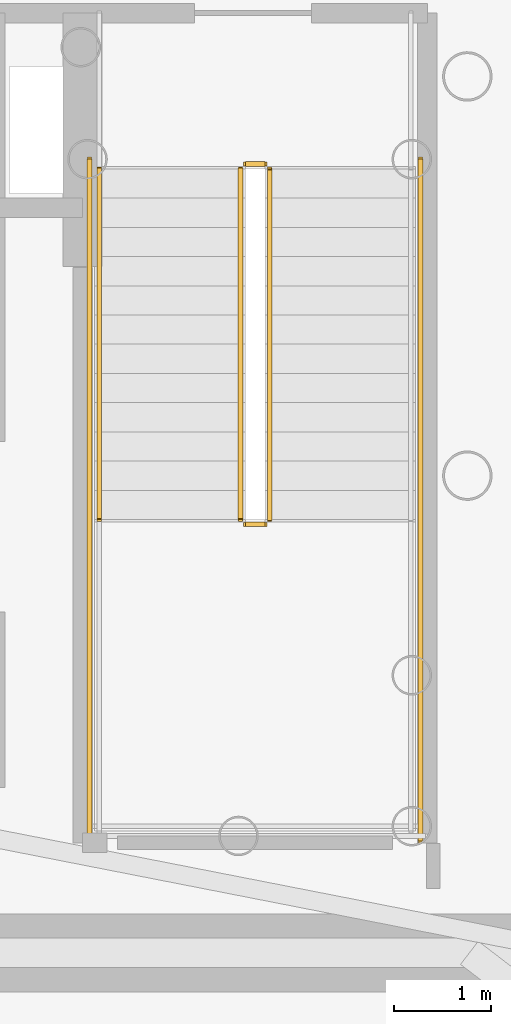
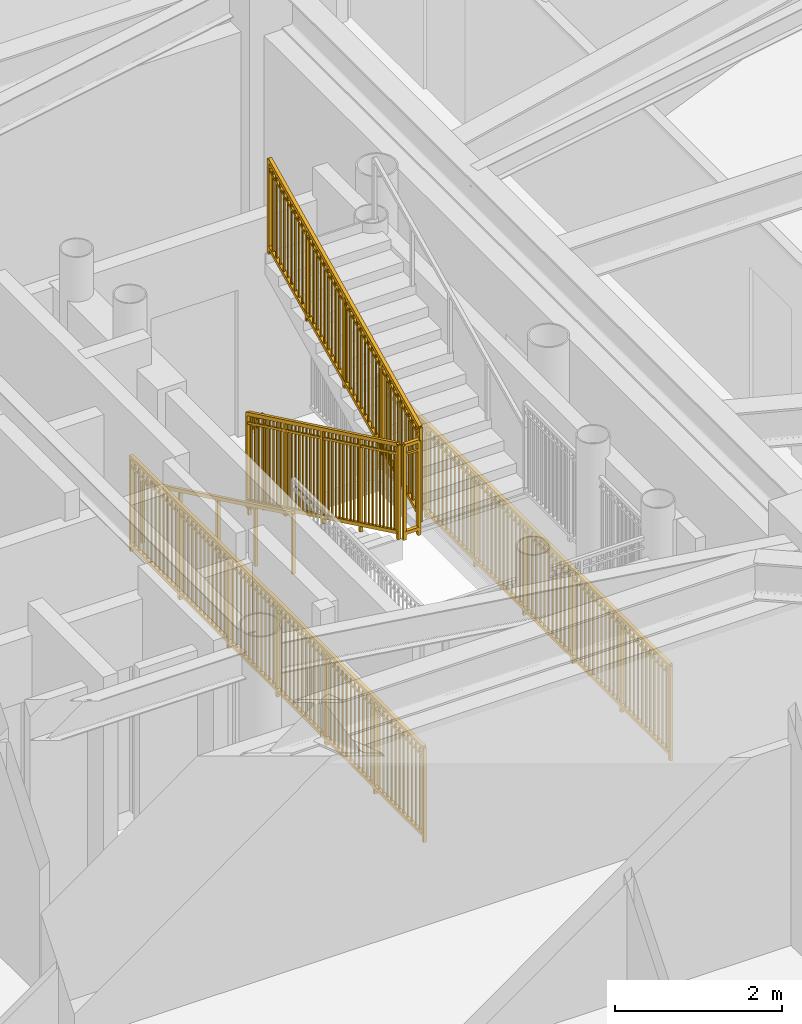
# One storey, part 19 of 21: 7 railings.
"""IFC4 building model written with IfcOpenShell, lengths in metres."""

from ifc_helpers import new_model, si_unit, direction, frame, origin, origin_2d, place, context, subcontext, project, spatial, rectangle, extrude, source, transform, mapped, material, type_object, element, save


model = new_model("IFC4")

# Units and contexts
model_context = context("Model", 3, precision=1e-05, world=origin(), true_north=direction((0.0, 1.0)))
body_context = subcontext(model_context, "Body", "Model", "MODEL_VIEW")
ifc_project = project(units=[si_unit("LENGTHUNIT", "METRE"), si_unit("AREAUNIT", "SQUARE_METRE"), si_unit("VOLUMEUNIT", "CUBIC_METRE"), si_unit("PLANEANGLEUNIT", "RADIAN"), si_unit("MASSUNIT", "GRAM", prefix="KILO")], contexts=[model_context])

# Site, building, storey
site_placement = place(None, origin())
site = spatial("IfcSite", under=ifc_project, at=site_placement, CompositionType="ELEMENT")
building_placement = place(site_placement, origin())
building = spatial("IfcBuilding", under=site, at=building_placement, Name="Linh Dai School and Residence Tower", CompositionType="ELEMENT")
storey_placement = place(building_placement, frame((0.0, 0.0, 97.199951171875)))
storey = spatial("IfcBuildingStorey", under=building, at=storey_placement, Name="L22", CompositionType="ELEMENT", Elevation=97.199951171875)

# Railings
ifc_material_1 = material(Name="Structural Steel S355JR", Category="steel")
railing_type_1 = type_object("IfcRailingType", Name="RL-ST-GUARD-1400", PredefinedType="GUARDRAIL", material=ifc_material_1)
shared_shape_1 = source(origin(), body_context, "Body", "SweptSolid", [
    extrude(rectangle(XDim=0.048095703125, YDim=0.048095703125, at=origin_2d()), frame((0.0, 0.0, 1.3759765625), z_axis=(0.0, 0.901262522062, 0.433273431364), x_axis=(-1.0, 0.0, 0.0)), (0.0, 0.0, 1.0), 3.994384765625),
    extrude(rectangle(XDim=0.048095703125, YDim=0.048095703125, at=origin_2d()), frame((0.0, 0.0, 0.10009765625), z_axis=(0.0, 0.901262522062, 0.433273431364), x_axis=(-1.0, 0.0, 0.0)), (0.0, 0.0, 1.0), 3.994384765625),
    extrude(rectangle(XDim=0.030029296875, YDim=0.030029296875, at=origin_2d()), frame((0.0, 0.0, 1.239990234375), z_axis=(0.0, 0.901262522062, 0.433273431364), x_axis=(-1.0, 0.0, 0.0)), (0.0, 0.0, 1.0), 3.994384765625),
    extrude(rectangle(XDim=0.02001953125, YDim=0.02001953125, at=origin_2d()), frame((0.0, 0.087890625, 0.142333984375)), (0.0, 0.0, 1.0), 1.251708984375),
    extrude(rectangle(XDim=0.02001953125, YDim=0.02001953125, at=origin_2d()), frame((0.0, 0.175537109375, 0.1845703125)), (0.0, 0.0, 1.0), 1.251708984375),
    extrude(rectangle(XDim=0.02001953125, YDim=0.02001953125, at=origin_2d()), frame((0.0, 0.263427734375, 0.226806640625)), (0.0, 0.0, 1.0), 1.251708984375),
    extrude(rectangle(XDim=0.02001953125, YDim=0.02001953125, at=origin_2d()), frame((0.0, 0.351318359375, 0.26904296875)), (0.0, 0.0, 1.0), 1.251708984375),
    extrude(rectangle(XDim=0.02001953125, YDim=0.02001953125, at=origin_2d()), frame((0.0, 0.43896484375, 0.311279296875)), (0.0, 0.0, 1.0), 1.251708984375),
    extrude(rectangle(XDim=0.02001953125, YDim=0.02001953125, at=origin_2d()), frame((0.0, 0.52685546875, 0.353271484375)), (0.0, 0.0, 1.0), 1.251708984375),
    extrude(rectangle(XDim=0.02001953125, YDim=0.02001953125, at=origin_2d()), frame((0.0, 0.61474609375, 0.3955078125)), (0.0, 0.0, 1.0), 1.251708984375),
    extrude(rectangle(XDim=0.02001953125, YDim=0.02001953125, at=origin_2d()), frame((0.0, 0.702392578125, 0.437744140625)), (0.0, 0.0, 1.0), 1.251708984375),
    extrude(rectangle(XDim=0.02001953125, YDim=0.02001953125, at=origin_2d()), frame((0.0, 0.790283203125, 0.47998046875)), (0.0, 0.0, 1.0), 1.251708984375),
    extrude(rectangle(XDim=0.02001953125, YDim=0.02001953125, at=origin_2d()), frame((0.0, 0.9658203125, 0.564453125)), (0.0, 0.0, 1.0), 1.251708984375),
    extrude(rectangle(XDim=0.02001953125, YDim=0.02001953125, at=origin_2d()), frame((0.0, 1.0537109375, 0.606689453125)), (0.0, 0.0, 1.0), 1.251708984375),
    extrude(rectangle(XDim=0.02001953125, YDim=0.02001953125, at=origin_2d()), frame((0.0, 1.1416015625, 0.64892578125)), (0.0, 0.0, 1.0), 1.251708984375),
    extrude(rectangle(XDim=0.02001953125, YDim=0.02001953125, at=origin_2d()), frame((0.0, 1.229248046875, 0.691162109375)), (0.0, 0.0, 1.0), 1.251708984375),
    extrude(rectangle(XDim=0.02001953125, YDim=0.02001953125, at=origin_2d()), frame((0.0, 1.317138671875, 0.7333984375)), (0.0, 0.0, 1.0), 1.251708984375),
    extrude(rectangle(XDim=0.02001953125, YDim=0.02001953125, at=origin_2d()), frame((0.0, 1.405029296875, 0.775390625)), (0.0, 0.0, 1.0), 1.251708984375),
    extrude(rectangle(XDim=0.02001953125, YDim=0.02001953125, at=origin_2d()), frame((0.0, 1.49267578125, 0.817626953125)), (0.0, 0.0, 1.0), 1.251708984375),
    extrude(rectangle(XDim=0.02001953125, YDim=0.02001953125, at=origin_2d()), frame((0.0, 1.58056640625, 0.85986328125)), (0.0, 0.0, 1.0), 1.251708984375),
    extrude(rectangle(XDim=0.02001953125, YDim=0.02001953125, at=origin_2d()), frame((0.0, 1.66845703125, 0.902099609375)), (0.0, 0.0, 1.0), 1.251708984375),
    extrude(rectangle(XDim=0.02001953125, YDim=0.02001953125, at=origin_2d()), frame((0.0, 1.756103515625, 0.9443359375)), (0.0, 0.0, 1.0), 1.251708984375),
    extrude(rectangle(XDim=0.02001953125, YDim=0.02001953125, at=origin_2d()), frame((0.0, 1.843994140625, 0.986572265625)), (0.0, 0.0, 1.0), 1.251708984375),
    extrude(rectangle(XDim=0.02001953125, YDim=0.02001953125, at=origin_2d()), frame((0.0, 1.931640625, 1.02880859375)), (0.0, 0.0, 1.0), 1.251708984375),
    extrude(rectangle(XDim=0.02001953125, YDim=0.02001953125, at=origin_2d()), frame((0.0, 2.01953125, 1.071044921875)), (0.0, 0.0, 1.0), 1.251708984375),
    extrude(rectangle(XDim=0.02001953125, YDim=0.02001953125, at=origin_2d()), frame((0.0, 2.107421875, 1.11328125)), (0.0, 0.0, 1.0), 1.251708984375),
    extrude(rectangle(XDim=0.02001953125, YDim=0.02001953125, at=origin_2d()), frame((0.0, 2.195068359375, 1.155517578125)), (0.0, 0.0, 1.0), 1.251708984375),
    extrude(rectangle(XDim=0.02001953125, YDim=0.02001953125, at=origin_2d()), frame((0.0, 2.282958984375, 1.197509765625)), (0.0, 0.0, 1.0), 1.251708984375),
    extrude(rectangle(XDim=0.02001953125, YDim=0.02001953125, at=origin_2d()), frame((0.0, 2.370849609375, 1.23974609375)), (0.0, 0.0, 1.0), 1.251708984375),
    extrude(rectangle(XDim=0.02001953125, YDim=0.02001953125, at=origin_2d()), frame((0.0, 2.45849609375, 1.281982421875)), (0.0, 0.0, 1.0), 1.251708984375),
    extrude(rectangle(XDim=0.02001953125, YDim=0.02001953125, at=origin_2d()), frame((0.0, 2.54638671875, 1.32421875)), (0.0, 0.0, 1.0), 1.251708984375),
    extrude(rectangle(XDim=0.02001953125, YDim=0.02001953125, at=origin_2d()), frame((0.0, 2.63427734375, 1.366455078125)), (0.0, 0.0, 1.0), 1.251708984375),
    extrude(rectangle(XDim=0.02001953125, YDim=0.02001953125, at=origin_2d()), frame((0.0, 2.809814453125, 1.450927734375)), (0.0, 0.0, 1.0), 1.251708984375),
    extrude(rectangle(XDim=0.02001953125, YDim=0.02001953125, at=origin_2d()), frame((0.0, 2.897705078125, 1.4931640625)), (0.0, 0.0, 1.0), 1.251708984375),
    extrude(rectangle(XDim=0.02001953125, YDim=0.02001953125, at=origin_2d()), frame((0.0, 2.9853515625, 1.535400390625)), (0.0, 0.0, 1.0), 1.251708984375),
    extrude(rectangle(XDim=0.02001953125, YDim=0.02001953125, at=origin_2d()), frame((0.0, 3.0732421875, 1.57763671875)), (0.0, 0.0, 1.0), 1.251708984375),
    extrude(rectangle(XDim=0.02001953125, YDim=0.02001953125, at=origin_2d()), frame((0.0, 3.1611328125, 1.61962890625)), (0.0, 0.0, 1.0), 1.251708984375),
    extrude(rectangle(XDim=0.02001953125, YDim=0.02001953125, at=origin_2d()), frame((0.0, 3.248779296875, 1.661865234375)), (0.0, 0.0, 1.0), 1.251708984375),
    extrude(rectangle(XDim=0.02001953125, YDim=0.02001953125, at=origin_2d()), frame((0.0, 3.336669921875, 1.7041015625)), (0.0, 0.0, 1.0), 1.251708984375),
    extrude(rectangle(XDim=0.02001953125, YDim=0.02001953125, at=origin_2d()), frame((0.0, 3.424560546875, 1.746337890625)), (0.0, 0.0, 1.0), 1.251708984375),
    extrude(rectangle(XDim=0.02001953125, YDim=0.02001953125, at=origin_2d()), frame((0.0, 3.51220703125, 1.78857421875)), (0.0, 0.0, 1.0), 1.251708984375),
    extrude(rectangle(XDim=0.0419921875, YDim=0.0419921875, at=origin_2d()), origin(), (0.0, 0.0, 1.0), 1.3759765625),
    extrude(rectangle(XDim=0.0419921875, YDim=0.0419921875, at=origin_2d()), frame((0.0, 0.89990234375, 0.4326171875)), (0.0, 0.0, 1.0), 1.3759765625),
    extrude(rectangle(XDim=0.0419921875, YDim=0.0419921875, at=origin_2d()), frame((0.0, 1.800048828125, 0.865234375)), (0.0, 0.0, 1.0), 1.3759765625),
    extrude(rectangle(XDim=0.0419921875, YDim=0.0419921875, at=origin_2d()), frame((0.0, 2.7001953125, 1.298095703125)), (0.0, 0.0, 1.0), 1.3759765625),
    extrude(rectangle(XDim=0.0419921875, YDim=0.0419921875, at=origin_2d()), frame((0.0, 3.60009765625, 1.730712890625)), (0.0, 0.0, 1.0), 1.3759765625),
])
railing_1_placement = place(storey_placement, frame((42.820068359375, 24.64990234375, 2.019287109375)))
element("IfcRailing", 1, at=railing_1_placement, inside=storey, type_object=railing_type_1, Name="L22 ST2 stair guard 6", PredefinedType="GUARDRAIL", context=body_context, shape_type="MappedRepresentation", body=[
    mapped(shared_shape_1, transform((0.0, 0.0, 0.0), x_axis=(1.0, 0.0, 0.0), y_axis=(0.0, 1.0, 0.0), z_axis=(0.0, 0.0, 1.0), scale=1.0)),
])
shared_shape_2 = source(origin(), body_context, "Body", "SweptSolid", [
    extrude(rectangle(XDim=0.048095703125, YDim=0.048095703125, at=origin_2d()), frame((0.0, 0.0, 1.3759765625), z_axis=(0.0, -0.901262522062, 0.433273431364), x_axis=(1.0, 0.0, 0.0)), (0.0, 0.0, 1.0), 3.994384765625),
    extrude(rectangle(XDim=0.048095703125, YDim=0.048095703125, at=origin_2d()), frame((0.0, 0.0, 0.10009765625), z_axis=(0.0, -0.901262522062, 0.433273431364), x_axis=(1.0, 0.0, 0.0)), (0.0, 0.0, 1.0), 3.994384765625),
    extrude(rectangle(XDim=0.030029296875, YDim=0.030029296875, at=origin_2d()), frame((0.0, 0.0, 1.239990234375), z_axis=(0.0, -0.901262522062, 0.433273431364), x_axis=(1.0, 0.0, 0.0)), (0.0, 0.0, 1.0), 3.994384765625),
    extrude(rectangle(XDim=0.02001953125, YDim=0.02001953125, at=origin_2d()), frame((0.0, -0.087890625, 0.142333984375)), (0.0, 0.0, 1.0), 1.251708984375),
    extrude(rectangle(XDim=0.02001953125, YDim=0.02001953125, at=origin_2d()), frame((0.0, -0.175537109375, 0.1845703125)), (0.0, 0.0, 1.0), 1.251708984375),
    extrude(rectangle(XDim=0.02001953125, YDim=0.02001953125, at=origin_2d()), frame((0.0, -0.263427734375, 0.226806640625)), (0.0, 0.0, 1.0), 1.251708984375),
    extrude(rectangle(XDim=0.02001953125, YDim=0.02001953125, at=origin_2d()), frame((0.0, -0.351318359375, 0.26904296875)), (0.0, 0.0, 1.0), 1.251708984375),
    extrude(rectangle(XDim=0.02001953125, YDim=0.02001953125, at=origin_2d()), frame((0.0, -0.43896484375, 0.311279296875)), (0.0, 0.0, 1.0), 1.251708984375),
    extrude(rectangle(XDim=0.02001953125, YDim=0.02001953125, at=origin_2d()), frame((0.0, -0.52685546875, 0.353271484375)), (0.0, 0.0, 1.0), 1.251708984375),
    extrude(rectangle(XDim=0.02001953125, YDim=0.02001953125, at=origin_2d()), frame((0.0, -0.61474609375, 0.3955078125)), (0.0, 0.0, 1.0), 1.251708984375),
    extrude(rectangle(XDim=0.02001953125, YDim=0.02001953125, at=origin_2d()), frame((0.0, -0.702392578125, 0.437744140625)), (0.0, 0.0, 1.0), 1.251708984375),
    extrude(rectangle(XDim=0.02001953125, YDim=0.02001953125, at=origin_2d()), frame((0.0, -0.790283203125, 0.47998046875)), (0.0, 0.0, 1.0), 1.251708984375),
    extrude(rectangle(XDim=0.02001953125, YDim=0.02001953125, at=origin_2d()), frame((0.0, -0.9658203125, 0.564453125)), (0.0, 0.0, 1.0), 1.251708984375),
    extrude(rectangle(XDim=0.02001953125, YDim=0.02001953125, at=origin_2d()), frame((0.0, -1.0537109375, 0.606689453125)), (0.0, 0.0, 1.0), 1.251708984375),
    extrude(rectangle(XDim=0.02001953125, YDim=0.02001953125, at=origin_2d()), frame((0.0, -1.1416015625, 0.64892578125)), (0.0, 0.0, 1.0), 1.251708984375),
    extrude(rectangle(XDim=0.02001953125, YDim=0.02001953125, at=origin_2d()), frame((0.0, -1.229248046875, 0.691162109375)), (0.0, 0.0, 1.0), 1.251708984375),
    extrude(rectangle(XDim=0.02001953125, YDim=0.02001953125, at=origin_2d()), frame((0.0, -1.317138671875, 0.7333984375)), (0.0, 0.0, 1.0), 1.251708984375),
    extrude(rectangle(XDim=0.02001953125, YDim=0.02001953125, at=origin_2d()), frame((0.0, -1.405029296875, 0.775390625)), (0.0, 0.0, 1.0), 1.251708984375),
    extrude(rectangle(XDim=0.02001953125, YDim=0.02001953125, at=origin_2d()), frame((0.0, -1.49267578125, 0.817626953125)), (0.0, 0.0, 1.0), 1.251708984375),
    extrude(rectangle(XDim=0.02001953125, YDim=0.02001953125, at=origin_2d()), frame((0.0, -1.58056640625, 0.85986328125)), (0.0, 0.0, 1.0), 1.251708984375),
    extrude(rectangle(XDim=0.02001953125, YDim=0.02001953125, at=origin_2d()), frame((0.0, -1.66845703125, 0.902099609375)), (0.0, 0.0, 1.0), 1.251708984375),
    extrude(rectangle(XDim=0.02001953125, YDim=0.02001953125, at=origin_2d()), frame((0.0, -1.756103515625, 0.9443359375)), (0.0, 0.0, 1.0), 1.251708984375),
    extrude(rectangle(XDim=0.02001953125, YDim=0.02001953125, at=origin_2d()), frame((0.0, -1.843994140625, 0.986572265625)), (0.0, 0.0, 1.0), 1.251708984375),
    extrude(rectangle(XDim=0.02001953125, YDim=0.02001953125, at=origin_2d()), frame((0.0, -1.931640625, 1.02880859375)), (0.0, 0.0, 1.0), 1.251708984375),
    extrude(rectangle(XDim=0.02001953125, YDim=0.02001953125, at=origin_2d()), frame((0.0, -2.01953125, 1.071044921875)), (0.0, 0.0, 1.0), 1.251708984375),
    extrude(rectangle(XDim=0.02001953125, YDim=0.02001953125, at=origin_2d()), frame((0.0, -2.107421875, 1.11328125)), (0.0, 0.0, 1.0), 1.251708984375),
    extrude(rectangle(XDim=0.02001953125, YDim=0.02001953125, at=origin_2d()), frame((0.0, -2.195068359375, 1.155517578125)), (0.0, 0.0, 1.0), 1.251708984375),
    extrude(rectangle(XDim=0.02001953125, YDim=0.02001953125, at=origin_2d()), frame((0.0, -2.282958984375, 1.197509765625)), (0.0, 0.0, 1.0), 1.251708984375),
    extrude(rectangle(XDim=0.02001953125, YDim=0.02001953125, at=origin_2d()), frame((0.0, -2.370849609375, 1.23974609375)), (0.0, 0.0, 1.0), 1.251708984375),
    extrude(rectangle(XDim=0.02001953125, YDim=0.02001953125, at=origin_2d()), frame((0.0, -2.45849609375, 1.281982421875)), (0.0, 0.0, 1.0), 1.251708984375),
    extrude(rectangle(XDim=0.02001953125, YDim=0.02001953125, at=origin_2d()), frame((0.0, -2.54638671875, 1.32421875)), (0.0, 0.0, 1.0), 1.251708984375),
    extrude(rectangle(XDim=0.02001953125, YDim=0.02001953125, at=origin_2d()), frame((0.0, -2.63427734375, 1.366455078125)), (0.0, 0.0, 1.0), 1.251708984375),
    extrude(rectangle(XDim=0.02001953125, YDim=0.02001953125, at=origin_2d()), frame((0.0, -2.809814453125, 1.450927734375)), (0.0, 0.0, 1.0), 1.251708984375),
    extrude(rectangle(XDim=0.02001953125, YDim=0.02001953125, at=origin_2d()), frame((0.0, -2.897705078125, 1.4931640625)), (0.0, 0.0, 1.0), 1.251708984375),
    extrude(rectangle(XDim=0.02001953125, YDim=0.02001953125, at=origin_2d()), frame((0.0, -2.9853515625, 1.535400390625)), (0.0, 0.0, 1.0), 1.251708984375),
    extrude(rectangle(XDim=0.02001953125, YDim=0.02001953125, at=origin_2d()), frame((0.0, -3.0732421875, 1.57763671875)), (0.0, 0.0, 1.0), 1.251708984375),
    extrude(rectangle(XDim=0.02001953125, YDim=0.02001953125, at=origin_2d()), frame((0.0, -3.1611328125, 1.61962890625)), (0.0, 0.0, 1.0), 1.251708984375),
    extrude(rectangle(XDim=0.02001953125, YDim=0.02001953125, at=origin_2d()), frame((0.0, -3.248779296875, 1.661865234375)), (0.0, 0.0, 1.0), 1.251708984375),
    extrude(rectangle(XDim=0.02001953125, YDim=0.02001953125, at=origin_2d()), frame((0.0, -3.336669921875, 1.7041015625)), (0.0, 0.0, 1.0), 1.251708984375),
    extrude(rectangle(XDim=0.02001953125, YDim=0.02001953125, at=origin_2d()), frame((0.0, -3.424560546875, 1.746337890625)), (0.0, 0.0, 1.0), 1.251708984375),
    extrude(rectangle(XDim=0.02001953125, YDim=0.02001953125, at=origin_2d()), frame((0.0, -3.51220703125, 1.78857421875)), (0.0, 0.0, 1.0), 1.251708984375),
    extrude(rectangle(XDim=0.0419921875, YDim=0.0419921875, at=origin_2d()), origin(), (0.0, 0.0, 1.0), 1.3759765625),
    extrude(rectangle(XDim=0.0419921875, YDim=0.0419921875, at=origin_2d()), frame((0.0, -0.89990234375, 0.4326171875)), (0.0, 0.0, 1.0), 1.3759765625),
    extrude(rectangle(XDim=0.0419921875, YDim=0.0419921875, at=origin_2d()), frame((0.0, -1.800048828125, 0.865234375)), (0.0, 0.0, 1.0), 1.3759765625),
    extrude(rectangle(XDim=0.0419921875, YDim=0.0419921875, at=origin_2d()), frame((0.0, -2.7001953125, 1.298095703125)), (0.0, 0.0, 1.0), 1.3759765625),
    extrude(rectangle(XDim=0.0419921875, YDim=0.0419921875, at=origin_2d()), frame((0.0, -3.60009765625, 1.730712890625)), (0.0, 0.0, 1.0), 1.3759765625),
])
railing_2_placement = place(storey_placement, frame((42.52001953125, 28.25, 0.144287109375)))
element("IfcRailing", 2, at=railing_2_placement, inside=storey, type_object=railing_type_1, Name="L22 ST2 stair guard 1", PredefinedType="GUARDRAIL", context=body_context, shape_type="MappedRepresentation", body=[
    mapped(shared_shape_2, transform((0.0, 0.0, 0.0), x_axis=(1.0, 0.0, 0.0), y_axis=(0.0, 1.0, 0.0), z_axis=(0.0, 0.0, 1.0), scale=1.0)),
])
ifc_material_2 = material(Name="Brushed Stainless Steel Handrail", Category="steel")
railing_type_2 = type_object("IfcRailingType", Name="RL-ST-HANDRAIL-900", PredefinedType="HANDRAIL", material=ifc_material_2)
shared_shape_3 = source(origin(), body_context, "Body", "SweptSolid", [
    extrude(rectangle(XDim=0.048095703125, YDim=0.048095703125, at=origin_2d()), frame((0.0, 0.0, 0.8759765625), z_axis=(0.0, -0.901262522062, 0.433273431364), x_axis=(1.0, 0.0, 0.0)), (0.0, 0.0, 1.0), 3.994384765625),
    extrude(rectangle(XDim=0.0419921875, YDim=0.0419921875, at=origin_2d()), origin(), (0.0, 0.0, 1.0), 0.8759765625),
    extrude(rectangle(XDim=0.0419921875, YDim=0.0419921875, at=origin_2d()), frame((0.0, -0.89990234375, 0.4326171875)), (0.0, 0.0, 1.0), 0.8759765625),
    extrude(rectangle(XDim=0.0419921875, YDim=0.0419921875, at=origin_2d()), frame((0.0, -1.800048828125, 0.865234375)), (0.0, 0.0, 1.0), 0.8759765625),
    extrude(rectangle(XDim=0.0419921875, YDim=0.0419921875, at=origin_2d()), frame((0.0, -2.7001953125, 1.298095703125)), (0.0, 0.0, 1.0), 0.8759765625),
    extrude(rectangle(XDim=0.0419921875, YDim=0.0419921875, at=origin_2d()), frame((0.0, -3.60009765625, 1.730712890625)), (0.0, 0.0, 1.0), 0.8759765625),
])
railing_3_placement = place(storey_placement, frame((41.070068359375, 28.25, 0.144287109375)))
element("IfcRailing", 3, at=railing_3_placement, inside=storey, type_object=railing_type_2, Name="L22 ST2 stair handrail 1", PredefinedType="HANDRAIL", context=body_context, shape_type="MappedRepresentation", body=[
    mapped(shared_shape_3, transform((0.0, 0.0, 0.0), x_axis=(1.0, 0.0, 0.0), y_axis=(0.0, 1.0, 0.0), z_axis=(0.0, 0.0, 1.0), scale=1.0)),
])
shared_shape_4 = source(origin(), body_context, "Body", "SweptSolid", [
    extrude(rectangle(XDim=0.048095703125, YDim=0.048095703125, at=origin_2d()), frame((0.0, 0.0, 1.3759765625), z_axis=(1.0, 0.0, 0.0), x_axis=(0.0, 1.0, 0.0)), (0.0, 0.0, 1.0), 0.199951171875),
    extrude(rectangle(XDim=0.048095703125, YDim=0.048095703125, at=origin_2d()), frame((0.0, 0.0, 0.10009765625), z_axis=(1.0, 0.0, 0.0), x_axis=(0.0, 1.0, 0.0)), (0.0, 0.0, 1.0), 0.199951171875),
    extrude(rectangle(XDim=0.030029296875, YDim=0.030029296875, at=origin_2d()), frame((0.0, 0.0, 1.239990234375), z_axis=(1.0, 0.0, 0.0), x_axis=(0.0, 1.0, 0.0)), (0.0, 0.0, 1.0), 0.199951171875),
    extrude(rectangle(XDim=0.0419921875, YDim=0.0419921875, at=origin_2d()), origin(), (0.0, 0.0, 1.0), 1.3759765625),
    extrude(rectangle(XDim=0.0419921875, YDim=0.0419921875, at=origin_2d()), frame((0.199951171875, 0.0, 0.0)), (0.0, 0.0, 1.0), 1.3759765625),
])
for number, where, name in (
    (4, (42.570068359375, 24.60009765625, 1.875), "L22 ST2 stair guard 2"),
    (5, (42.570068359375, 28.300048828125, 0.0), "L22 ST2 stair guard 7"),
):
    element("IfcRailing", number, at=place(storey_placement, frame(where)), inside=storey, type_object=railing_type_1, Name=name, PredefinedType="GUARDRAIL", context=body_context, shape_type="MappedRepresentation", body=[
        mapped(shared_shape_4, transform((0.0, 0.0, 0.0), x_axis=(1.0, 0.0, 0.0), y_axis=(0.0, 1.0, 0.0), z_axis=(0.0, 0.0, 1.0), scale=1.0)),
    ])
shared_shape_5 = source(origin(), body_context, "Body", "SweptSolid", [
    extrude(rectangle(XDim=0.048095703125, YDim=0.048095703125, at=origin_2d()), frame((0.0, 0.0, 1.3759765625), z_axis=(0.0, -1.0, 0.0), x_axis=(1.0, 0.0, 0.0)), (0.0, 0.0, 1.0), 7.0),
    extrude(rectangle(XDim=0.048095703125, YDim=0.048095703125, at=origin_2d()), frame((0.0, 0.0, 0.10009765625), z_axis=(0.0, -1.0, 0.0), x_axis=(1.0, 0.0, 0.0)), (0.0, 0.0, 1.0), 7.0),
    extrude(rectangle(XDim=0.030029296875, YDim=0.030029296875, at=origin_2d()), frame((0.0, 0.0, 1.239990234375), z_axis=(0.0, -1.0, 0.0), x_axis=(1.0, 0.0, 0.0)), (0.0, 0.0, 1.0), 7.0),
    extrude(rectangle(XDim=0.02001953125, YDim=0.02001953125, at=origin_2d()), frame((0.0, -0.09716796875, 0.10009765625)), (0.0, 0.0, 1.0), 1.251708984375),
    extrude(rectangle(XDim=0.02001953125, YDim=0.02001953125, at=origin_2d()), frame((0.0, -0.1943359375, 0.10009765625)), (0.0, 0.0, 1.0), 1.251708984375),
    extrude(rectangle(XDim=0.02001953125, YDim=0.02001953125, at=origin_2d()), frame((0.0, -0.291748046875, 0.10009765625)), (0.0, 0.0, 1.0), 1.251708984375),
    extrude(rectangle(XDim=0.02001953125, YDim=0.02001953125, at=origin_2d()), frame((0.0, -0.388916015625, 0.10009765625)), (0.0, 0.0, 1.0), 1.251708984375),
    extrude(rectangle(XDim=0.02001953125, YDim=0.02001953125, at=origin_2d()), frame((0.0, -0.486083984375, 0.10009765625)), (0.0, 0.0, 1.0), 1.251708984375),
    extrude(rectangle(XDim=0.02001953125, YDim=0.02001953125, at=origin_2d()), frame((0.0, -0.583251953125, 0.10009765625)), (0.0, 0.0, 1.0), 1.251708984375),
    extrude(rectangle(XDim=0.02001953125, YDim=0.02001953125, at=origin_2d()), frame((0.0, -0.6806640625, 0.10009765625)), (0.0, 0.0, 1.0), 1.251708984375),
    extrude(rectangle(XDim=0.02001953125, YDim=0.02001953125, at=origin_2d()), frame((0.0, -0.77783203125, 0.10009765625)), (0.0, 0.0, 1.0), 1.251708984375),
    extrude(rectangle(XDim=0.02001953125, YDim=0.02001953125, at=origin_2d()), frame((0.0, -0.875, 0.10009765625)), (0.0, 0.0, 1.0), 1.251708984375),
    extrude(rectangle(XDim=0.02001953125, YDim=0.02001953125, at=origin_2d()), frame((0.0, -0.97216796875, 0.10009765625)), (0.0, 0.0, 1.0), 1.251708984375),
    extrude(rectangle(XDim=0.02001953125, YDim=0.02001953125, at=origin_2d()), frame((0.0, -1.0693359375, 0.10009765625)), (0.0, 0.0, 1.0), 1.251708984375),
    extrude(rectangle(XDim=0.02001953125, YDim=0.02001953125, at=origin_2d()), frame((0.0, -1.263916015625, 0.10009765625)), (0.0, 0.0, 1.0), 1.251708984375),
    extrude(rectangle(XDim=0.02001953125, YDim=0.02001953125, at=origin_2d()), frame((0.0, -1.361083984375, 0.10009765625)), (0.0, 0.0, 1.0), 1.251708984375),
    extrude(rectangle(XDim=0.02001953125, YDim=0.02001953125, at=origin_2d()), frame((0.0, -1.458251953125, 0.10009765625)), (0.0, 0.0, 1.0), 1.251708984375),
    extrude(rectangle(XDim=0.02001953125, YDim=0.02001953125, at=origin_2d()), frame((0.0, -1.5556640625, 0.10009765625)), (0.0, 0.0, 1.0), 1.251708984375),
    extrude(rectangle(XDim=0.02001953125, YDim=0.02001953125, at=origin_2d()), frame((0.0, -1.65283203125, 0.10009765625)), (0.0, 0.0, 1.0), 1.251708984375),
    extrude(rectangle(XDim=0.02001953125, YDim=0.02001953125, at=origin_2d()), frame((0.0, -1.75, 0.10009765625)), (0.0, 0.0, 1.0), 1.251708984375),
    extrude(rectangle(XDim=0.02001953125, YDim=0.02001953125, at=origin_2d()), frame((0.0, -1.84716796875, 0.10009765625)), (0.0, 0.0, 1.0), 1.251708984375),
    extrude(rectangle(XDim=0.02001953125, YDim=0.02001953125, at=origin_2d()), frame((0.0, -1.9443359375, 0.10009765625)), (0.0, 0.0, 1.0), 1.251708984375),
    extrude(rectangle(XDim=0.02001953125, YDim=0.02001953125, at=origin_2d()), frame((0.0, -2.041748046875, 0.10009765625)), (0.0, 0.0, 1.0), 1.251708984375),
    extrude(rectangle(XDim=0.02001953125, YDim=0.02001953125, at=origin_2d()), frame((0.0, -2.138916015625, 0.10009765625)), (0.0, 0.0, 1.0), 1.251708984375),
    extrude(rectangle(XDim=0.02001953125, YDim=0.02001953125, at=origin_2d()), frame((0.0, -2.236083984375, 0.10009765625)), (0.0, 0.0, 1.0), 1.251708984375),
    extrude(rectangle(XDim=0.02001953125, YDim=0.02001953125, at=origin_2d()), frame((0.0, -2.4306640625, 0.10009765625)), (0.0, 0.0, 1.0), 1.251708984375),
    extrude(rectangle(XDim=0.02001953125, YDim=0.02001953125, at=origin_2d()), frame((0.0, -2.52783203125, 0.10009765625)), (0.0, 0.0, 1.0), 1.251708984375),
    extrude(rectangle(XDim=0.02001953125, YDim=0.02001953125, at=origin_2d()), frame((0.0, -2.625, 0.10009765625)), (0.0, 0.0, 1.0), 1.251708984375),
    extrude(rectangle(XDim=0.02001953125, YDim=0.02001953125, at=origin_2d()), frame((0.0, -2.72216796875, 0.10009765625)), (0.0, 0.0, 1.0), 1.251708984375),
    extrude(rectangle(XDim=0.02001953125, YDim=0.02001953125, at=origin_2d()), frame((0.0, -2.8193359375, 0.10009765625)), (0.0, 0.0, 1.0), 1.251708984375),
    extrude(rectangle(XDim=0.02001953125, YDim=0.02001953125, at=origin_2d()), frame((0.0, -2.916748046875, 0.10009765625)), (0.0, 0.0, 1.0), 1.251708984375),
    extrude(rectangle(XDim=0.02001953125, YDim=0.02001953125, at=origin_2d()), frame((0.0, -3.013916015625, 0.10009765625)), (0.0, 0.0, 1.0), 1.251708984375),
    extrude(rectangle(XDim=0.02001953125, YDim=0.02001953125, at=origin_2d()), frame((0.0, -3.111083984375, 0.10009765625)), (0.0, 0.0, 1.0), 1.251708984375),
    extrude(rectangle(XDim=0.02001953125, YDim=0.02001953125, at=origin_2d()), frame((0.0, -3.208251953125, 0.10009765625)), (0.0, 0.0, 1.0), 1.251708984375),
    extrude(rectangle(XDim=0.02001953125, YDim=0.02001953125, at=origin_2d()), frame((0.0, -3.3056640625, 0.10009765625)), (0.0, 0.0, 1.0), 1.251708984375),
    extrude(rectangle(XDim=0.02001953125, YDim=0.02001953125, at=origin_2d()), frame((0.0, -3.40283203125, 0.10009765625)), (0.0, 0.0, 1.0), 1.251708984375),
    extrude(rectangle(XDim=0.02001953125, YDim=0.02001953125, at=origin_2d()), frame((0.0, -3.59716796875, 0.10009765625)), (0.0, 0.0, 1.0), 1.251708984375),
    extrude(rectangle(XDim=0.02001953125, YDim=0.02001953125, at=origin_2d()), frame((0.0, -3.6943359375, 0.10009765625)), (0.0, 0.0, 1.0), 1.251708984375),
    extrude(rectangle(XDim=0.02001953125, YDim=0.02001953125, at=origin_2d()), frame((0.0, -3.791748046875, 0.10009765625)), (0.0, 0.0, 1.0), 1.251708984375),
    extrude(rectangle(XDim=0.02001953125, YDim=0.02001953125, at=origin_2d()), frame((0.0, -3.888916015625, 0.10009765625)), (0.0, 0.0, 1.0), 1.251708984375),
    extrude(rectangle(XDim=0.02001953125, YDim=0.02001953125, at=origin_2d()), frame((0.0, -3.986083984375, 0.10009765625)), (0.0, 0.0, 1.0), 1.251708984375),
    extrude(rectangle(XDim=0.02001953125, YDim=0.02001953125, at=origin_2d()), frame((0.0, -4.083251953125, 0.10009765625)), (0.0, 0.0, 1.0), 1.251708984375),
    extrude(rectangle(XDim=0.02001953125, YDim=0.02001953125, at=origin_2d()), frame((0.0, -4.1806640625, 0.10009765625)), (0.0, 0.0, 1.0), 1.251708984375),
    extrude(rectangle(XDim=0.02001953125, YDim=0.02001953125, at=origin_2d()), frame((0.0, -4.27783203125, 0.10009765625)), (0.0, 0.0, 1.0), 1.251708984375),
    extrude(rectangle(XDim=0.02001953125, YDim=0.02001953125, at=origin_2d()), frame((0.0, -4.375, 0.10009765625)), (0.0, 0.0, 1.0), 1.251708984375),
    extrude(rectangle(XDim=0.02001953125, YDim=0.02001953125, at=origin_2d()), frame((0.0, -4.47216796875, 0.10009765625)), (0.0, 0.0, 1.0), 1.251708984375),
    extrude(rectangle(XDim=0.02001953125, YDim=0.02001953125, at=origin_2d()), frame((0.0, -4.5693359375, 0.10009765625)), (0.0, 0.0, 1.0), 1.251708984375),
    extrude(rectangle(XDim=0.02001953125, YDim=0.02001953125, at=origin_2d()), frame((0.0, -4.763916015625, 0.10009765625)), (0.0, 0.0, 1.0), 1.251708984375),
    extrude(rectangle(XDim=0.02001953125, YDim=0.02001953125, at=origin_2d()), frame((0.0, -4.861083984375, 0.10009765625)), (0.0, 0.0, 1.0), 1.251708984375),
    extrude(rectangle(XDim=0.02001953125, YDim=0.02001953125, at=origin_2d()), frame((0.0, -4.958251953125, 0.10009765625)), (0.0, 0.0, 1.0), 1.251708984375),
    extrude(rectangle(XDim=0.02001953125, YDim=0.02001953125, at=origin_2d()), frame((0.0, -5.0556640625, 0.10009765625)), (0.0, 0.0, 1.0), 1.251708984375),
    extrude(rectangle(XDim=0.02001953125, YDim=0.02001953125, at=origin_2d()), frame((0.0, -5.15283203125, 0.10009765625)), (0.0, 0.0, 1.0), 1.251708984375),
    extrude(rectangle(XDim=0.02001953125, YDim=0.02001953125, at=origin_2d()), frame((0.0, -5.25, 0.10009765625)), (0.0, 0.0, 1.0), 1.251708984375),
    extrude(rectangle(XDim=0.02001953125, YDim=0.02001953125, at=origin_2d()), frame((0.0, -5.34716796875, 0.10009765625)), (0.0, 0.0, 1.0), 1.251708984375),
    extrude(rectangle(XDim=0.02001953125, YDim=0.02001953125, at=origin_2d()), frame((0.0, -5.4443359375, 0.10009765625)), (0.0, 0.0, 1.0), 1.251708984375),
    extrude(rectangle(XDim=0.02001953125, YDim=0.02001953125, at=origin_2d()), frame((0.0, -5.541748046875, 0.10009765625)), (0.0, 0.0, 1.0), 1.251708984375),
    extrude(rectangle(XDim=0.02001953125, YDim=0.02001953125, at=origin_2d()), frame((0.0, -5.638916015625, 0.10009765625)), (0.0, 0.0, 1.0), 1.251708984375),
    extrude(rectangle(XDim=0.02001953125, YDim=0.02001953125, at=origin_2d()), frame((0.0, -5.736083984375, 0.10009765625)), (0.0, 0.0, 1.0), 1.251708984375),
    extrude(rectangle(XDim=0.02001953125, YDim=0.02001953125, at=origin_2d()), frame((0.0, -5.9306640625, 0.10009765625)), (0.0, 0.0, 1.0), 1.251708984375),
    extrude(rectangle(XDim=0.02001953125, YDim=0.02001953125, at=origin_2d()), frame((0.0, -6.02783203125, 0.10009765625)), (0.0, 0.0, 1.0), 1.251708984375),
    extrude(rectangle(XDim=0.02001953125, YDim=0.02001953125, at=origin_2d()), frame((0.0, -6.125, 0.10009765625)), (0.0, 0.0, 1.0), 1.251708984375),
    extrude(rectangle(XDim=0.02001953125, YDim=0.02001953125, at=origin_2d()), frame((0.0, -6.22216796875, 0.10009765625)), (0.0, 0.0, 1.0), 1.251708984375),
    extrude(rectangle(XDim=0.02001953125, YDim=0.02001953125, at=origin_2d()), frame((0.0, -6.3193359375, 0.10009765625)), (0.0, 0.0, 1.0), 1.251708984375),
    extrude(rectangle(XDim=0.02001953125, YDim=0.02001953125, at=origin_2d()), frame((0.0, -6.416748046875, 0.10009765625)), (0.0, 0.0, 1.0), 1.251708984375),
    extrude(rectangle(XDim=0.02001953125, YDim=0.02001953125, at=origin_2d()), frame((0.0, -6.513916015625, 0.10009765625)), (0.0, 0.0, 1.0), 1.251708984375),
    extrude(rectangle(XDim=0.02001953125, YDim=0.02001953125, at=origin_2d()), frame((0.0, -6.611083984375, 0.10009765625)), (0.0, 0.0, 1.0), 1.251708984375),
    extrude(rectangle(XDim=0.02001953125, YDim=0.02001953125, at=origin_2d()), frame((0.0, -6.708251953125, 0.10009765625)), (0.0, 0.0, 1.0), 1.251708984375),
    extrude(rectangle(XDim=0.02001953125, YDim=0.02001953125, at=origin_2d()), frame((0.0, -6.8056640625, 0.10009765625)), (0.0, 0.0, 1.0), 1.251708984375),
    extrude(rectangle(XDim=0.02001953125, YDim=0.02001953125, at=origin_2d()), frame((0.0, -6.90283203125, 0.10009765625)), (0.0, 0.0, 1.0), 1.251708984375),
    extrude(rectangle(XDim=0.0419921875, YDim=0.0419921875, at=origin_2d()), origin(), (0.0, 0.0, 1.0), 1.3759765625),
    extrude(rectangle(XDim=0.0419921875, YDim=0.0419921875, at=origin_2d()), frame((0.0, -1.166748046875, 0.0)), (0.0, 0.0, 1.0), 1.3759765625),
    extrude(rectangle(XDim=0.0419921875, YDim=0.0419921875, at=origin_2d()), frame((0.0, -2.333251953125, 0.0)), (0.0, 0.0, 1.0), 1.3759765625),
    extrude(rectangle(XDim=0.0419921875, YDim=0.0419921875, at=origin_2d()), frame((0.0, -3.5, 0.0)), (0.0, 0.0, 1.0), 1.3759765625),
    extrude(rectangle(XDim=0.0419921875, YDim=0.0419921875, at=origin_2d()), frame((0.0, -4.666748046875, 0.0)), (0.0, 0.0, 1.0), 1.3759765625),
    extrude(rectangle(XDim=0.0419921875, YDim=0.0419921875, at=origin_2d()), frame((0.0, -5.833251953125, 0.0)), (0.0, 0.0, 1.0), 1.3759765625),
    extrude(rectangle(XDim=0.0419921875, YDim=0.0419921875, at=origin_2d()), frame((0.0, -7.0, 0.0)), (0.0, 0.0, 1.0), 1.3759765625),
])
for number, where, name in (
    (6, (40.969970703125, 28.35009765625, 0.0), "L22 ST2 stair guard 10"),
    (7, (44.3701171875, 28.35009765625, 0.0), "L22 ST2 stair guard 11"),
):
    element("IfcRailing", number, at=place(storey_placement, frame(where)), inside=storey, type_object=railing_type_1, Name=name, PredefinedType="GUARDRAIL", context=body_context, shape_type="MappedRepresentation", body=[
        mapped(shared_shape_5, transform((0.0, 0.0, 0.0), x_axis=(1.0, 0.0, 0.0), y_axis=(0.0, 1.0, 0.0), z_axis=(0.0, 0.0, 1.0), scale=1.0)),
    ])

save(model, "model.ifc")
